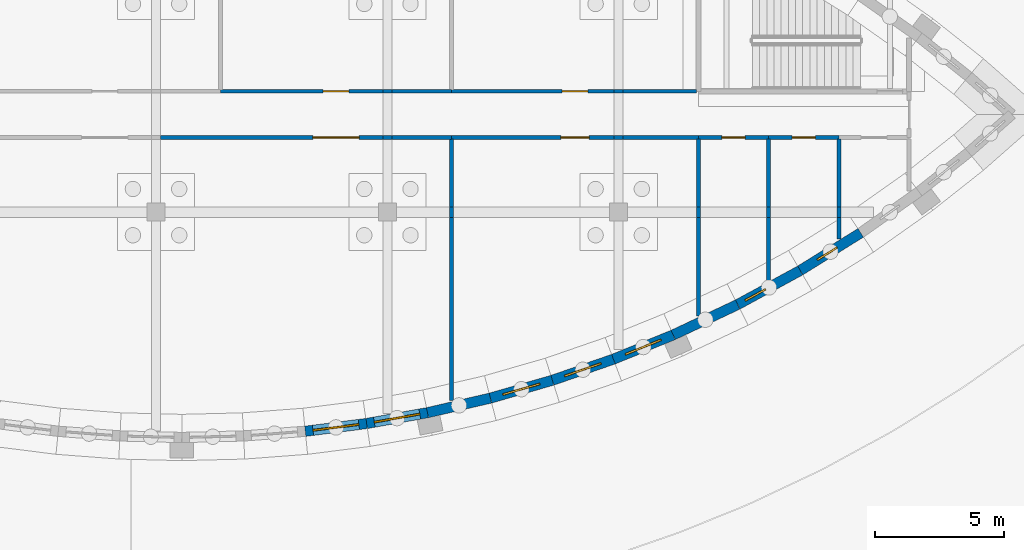
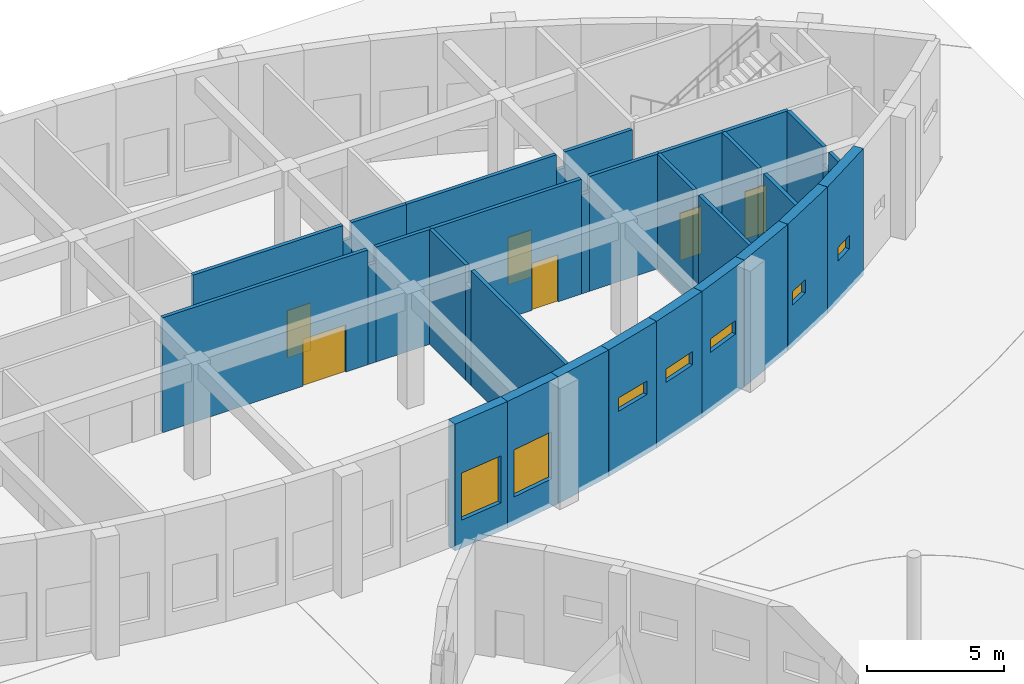
# One storey, part 67 of 82: 35 walls, 7 windows, 6 doors, 13 openings.
"""IFC4 building model written with IfcOpenShell, lengths in metres."""

from ifc_helpers import new_model, si_unit, direction, frame, frame_2d, origin, place, context, subcontext, project, spatial, rectangle, extrude, material, layer, layer_set, type_object, element, fill, save


model = new_model("IFC4")

# Units and contexts
model_context = context("Model", 3, precision=1e-05, world=origin(), true_north=direction((0.0, 1.0)))
body_context = subcontext(model_context, "Body", "Model", "MODEL_VIEW")
ifc_project = project(units=[si_unit("LENGTHUNIT", "METRE"), si_unit("AREAUNIT", "SQUARE_METRE"), si_unit("VOLUMEUNIT", "CUBIC_METRE"), si_unit("PLANEANGLEUNIT", "RADIAN"), si_unit("MASSUNIT", "GRAM", prefix="KILO")], contexts=[model_context])

# Site, building, storey
site_placement = place(None, origin())
site = spatial("IfcSite", under=ifc_project, at=site_placement, CompositionType="ELEMENT")
building_placement = place(site_placement, origin())
building = spatial("IfcBuilding", under=site, at=building_placement, Name="Tide Square Theatres", CompositionType="ELEMENT")
storey_placement = place(building_placement, origin())
storey = spatial("IfcBuildingStorey", under=building, at=storey_placement, Name="L00", CompositionType="ELEMENT", Elevation=0.0)

# Walls
ifc_material_1 = material(Name="Gypsum board on steel studs", Category="steel")
ifc_layer_1 = layer(ifc_material_1, 0.14990234375)
ifc_layer_set_1 = layer_set([ifc_layer_1], Name="Gypsum board on steel studs")
wall_type_1 = type_object("IfcWallType", Name="Partition 150 thick", PredefinedType="PARTITIONING", material=ifc_layer_set_1)
wall_1_placement = place(storey_placement, frame((140.5, 96.89990234375, 0.0), z_axis=(0.0, 0.0, 1.0), x_axis=(-1.0, 0.0, 0.0)))
element("IfcWall", 1, at=wall_1_placement, inside=storey, type_object=wall_type_1, Name="Rehearsal Block partition", PredefinedType="PARTITIONING", context=body_context, shape_type="SweptSolid", body=[
    extrude(rectangle(XDim=2.324951171875, YDim=0.14990234375, at=frame_2d((1.16259765625, 0.0))), origin(), (0.0, 0.0, 1.0), 5.1201171875),
])
wall_2_placement = place(storey_placement, frame((138.175048828125, 96.89990234375, 0.0), z_axis=(0.0, 0.0, 1.0), x_axis=(-1.0, 0.0, 0.0)))
element("IfcWall", 2, at=wall_2_placement, inside=storey, type_object=wall_type_1, Name="Rehearsal Block partition", PredefinedType="PARTITIONING", context=body_context, shape_type="SweptSolid", body=[
    extrude(rectangle(XDim=0.35009765625, YDim=0.14990234375, at=frame_2d((0.175048828125, 0.0))), origin(), (0.0, 0.0, 1.0), 4.419921875),
])

# Wall, opening, door
wall_3_placement = place(storey_placement, frame((137.824951171875, 96.89990234375, 0.0), z_axis=(0.0, 0.0, 1.0), x_axis=(-1.0, 0.0, 0.0)))
wall_3 = element("IfcWall", 3, at=wall_3_placement, inside=storey, type_object=wall_type_1, Name="Rehearsal Block partition", PredefinedType="PARTITIONING", context=body_context, shape_type="SweptSolid", body=[
    extrude(rectangle(XDim=8.64990234375, YDim=0.14990234375, at=frame_2d((4.324951171875, 0.0))), origin(), (0.0, 0.0, 1.0), 5.1201171875),
])
opening_1_placement = place(wall_3_placement, frame((0.925048828125, 0.0, 0.0)))
opening_1 = element("IfcOpeningElement", 4, at=opening_1_placement, cuts=wall_3, Name="Opening R0-14", PredefinedType="OPENING", context=body_context, shape_type="SweptSolid", body=[
    extrude(rectangle(XDim=1.800048828125, YDim=2.10009765625, at=frame_2d((0.89990234375, 1.050048828125))), frame((0.0, 0.0849609375, 0.0), z_axis=(0.0, -1.0, 0.0), x_axis=(1.0, 0.0, 0.0)), (0.0, 0.0, 1.0), 0.169921875),
])
ifc_material_2 = material(Name="Hardwood timber", Category="wood")
door_type_1 = type_object("IfcDoorType", Name="Door 1800 x 2100 double leaf", OperationType="DOUBLE_DOOR_SINGLE_SWING", PredefinedType="DOOR", material=ifc_material_2)
door_1_placement = place(opening_1_placement, origin())
door_1 = element("IfcDoor", 5, at=door_1_placement, inside=storey, type_object=door_type_1, Name="Rehearsal Block door R0-14 to Community Room", OperationType="DOUBLE_DOOR_SINGLE_SWING", OverallHeight=2.10009765625, OverallWidth=1.800048828125, PredefinedType="DOOR", context=body_context, shape_type="SweptSolid", body=[
    extrude(rectangle(XDim=1.800048828125, YDim=2.10009765625, at=frame_2d((0.89990234375, 1.050048828125))), frame((0.0, 0.02490234375, 0.0), z_axis=(0.0, -1.0, 0.0), x_axis=(1.0, 0.0, 0.0)), (0.0, 0.0, 1.0), 0.050048828125),
])
fill(opening_1, door_1)

wall_4_placement = place(storey_placement, frame((131.5, 98.699951171875, 0.0), z_axis=(0.0, 0.0, 1.0), x_axis=(1.0, 0.0, 0.0)))
wall_4 = element("IfcWall", 6, at=wall_4_placement, inside=storey, type_object=wall_type_1, Name="Rehearsal Block partition", PredefinedType="PARTITIONING", context=body_context, shape_type="SweptSolid", body=[
    extrude(rectangle(XDim=6.324951171875, YDim=0.14990234375, at=frame_2d((3.16259765625, 0.0))), origin(), (0.0, 0.0, 1.0), 5.1201171875),
])
opening_2_placement = place(wall_4_placement, frame((4.0, 0.0, 0.0)))
opening_2 = element("IfcOpeningElement", 7, at=opening_2_placement, cuts=wall_4, Name="Opening R0-18", PredefinedType="OPENING", context=body_context, shape_type="SweptSolid", body=[
    extrude(rectangle(XDim=1.0, YDim=2.10009765625, at=frame_2d((0.5, 1.050048828125))), frame((0.0, 0.0849609375, 0.0), z_axis=(0.0, -1.0, 0.0), x_axis=(1.0, 0.0, 0.0)), (0.0, 0.0, 1.0), 0.169921875),
])
ifc_material_3 = material(Name="Hardwood timber", Category="wood")
door_type_2 = type_object("IfcDoorType", Name="Door 1000 x 2100 single leaf", OperationType="NOTDEFINED", PredefinedType="DOOR", material=ifc_material_3)
door_2_placement = place(opening_2_placement, origin())
door_2 = element("IfcDoor", 8, at=door_2_placement, inside=storey, type_object=door_type_2, Name="Rehearsal Block door R0-18 to Changing Room 02", OperationType="SINGLE_SWING_RIGHT", OverallHeight=2.10009765625, OverallWidth=1.0, PredefinedType="DOOR", context=body_context, shape_type="SweptSolid", body=[
    extrude(rectangle(XDim=1.0, YDim=2.10009765625, at=frame_2d((0.5, 1.050048828125))), frame((0.0, 0.02490234375, 0.0), z_axis=(0.0, -1.0, 0.0), x_axis=(1.0, 0.0, 0.0)), (0.0, 0.0, 1.0), 0.050048828125),
])
fill(opening_2, door_2)

# Walls
wall_5_placement = place(storey_placement, frame((137.824951171875, 98.699951171875, 0.0), z_axis=(0.0, 0.0, 1.0), x_axis=(1.0, 0.0, 0.0)))
element("IfcWall", 9, at=wall_5_placement, inside=storey, type_object=wall_type_1, Name="Rehearsal Block partition", PredefinedType="PARTITIONING", context=body_context, shape_type="SweptSolid", body=[
    extrude(rectangle(XDim=0.35009765625, YDim=0.14990234375, at=frame_2d((0.175048828125, 0.0))), origin(), (0.0, 0.0, 1.0), 4.419921875),
])
wall_6_placement = place(storey_placement, frame((138.175048828125, 98.699951171875, 0.0), z_axis=(0.0, 0.0, 1.0), x_axis=(1.0, 0.0, 0.0)))
element("IfcWall", 10, at=wall_6_placement, inside=storey, type_object=wall_type_1, Name="Rehearsal Block partition", PredefinedType="PARTITIONING", context=body_context, shape_type="SweptSolid", body=[
    extrude(rectangle(XDim=2.324951171875, YDim=0.14990234375, at=frame_2d((1.16259765625, 0.0))), origin(), (0.0, 0.0, 1.0), 5.1201171875),
])
wall_7_placement = place(storey_placement, frame((140.5, 96.840087890625, 0.0), z_axis=(0.0, 0.0, 1.0), x_axis=(0.0, -1.0, 0.0)))
element("IfcWall", 11, at=wall_7_placement, inside=storey, type_object=wall_type_1, Name="Rehearsal Block partition", PredefinedType="PARTITIONING", context=body_context, shape_type="SweptSolid", body=[
    extrude(rectangle(XDim=2.64013671875, YDim=0.14990234375, at=frame_2d((1.320068359375, 0.0))), origin(), (0.0, 0.0, 1.0), 5.1201171875),
])
wall_8_placement = place(storey_placement, frame((140.5, 94.199951171875, 0.0), z_axis=(0.0, 0.0, 1.0), x_axis=(0.0, -1.0, 0.0)))
element("IfcWall", 12, at=wall_8_placement, inside=storey, type_object=wall_type_1, Name="Rehearsal Block partition", PredefinedType="PARTITIONING", context=body_context, shape_type="SweptSolid", body=[
    extrude(rectangle(XDim=0.39990234375, YDim=0.14990234375, at=frame_2d((0.199951171875, 0.0))), origin(), (0.0, 0.0, 1.0), 4.320068359375),
])
wall_9_placement = place(storey_placement, frame((140.5, 93.800048828125, 0.0), z_axis=(0.0, 0.0, 1.0), x_axis=(0.0, -1.0, 0.0)))
element("IfcWall", 13, at=wall_9_placement, inside=storey, type_object=wall_type_1, Name="Rehearsal Block partition", PredefinedType="PARTITIONING", context=body_context, shape_type="SweptSolid", body=[
    extrude(rectangle(XDim=7.128662109375, YDim=0.14990234375, at=frame_2d((3.564453125, 0.0))), origin(), (0.0, 0.0, 1.0), 5.1201171875),
])
wall_10_placement = place(storey_placement, frame((150.10009765625, 96.89990234375, 0.0), z_axis=(0.0, 0.0, 1.0), x_axis=(-1.0, 0.0, 0.0)))
element("IfcWall", 14, at=wall_10_placement, inside=storey, type_object=wall_type_1, Name="Rehearsal Block partition", PredefinedType="PARTITIONING", context=body_context, shape_type="SweptSolid", body=[
    extrude(rectangle(XDim=2.925048828125, YDim=0.14990234375, at=frame_2d((1.46240234375, 0.0))), origin(), (0.0, 0.0, 1.0), 5.1201171875),
])
wall_11_placement = place(storey_placement, frame((147.175048828125, 96.89990234375, 0.0), z_axis=(0.0, 0.0, 1.0), x_axis=(-1.0, 0.0, 0.0)))
element("IfcWall", 15, at=wall_11_placement, inside=storey, type_object=wall_type_1, Name="Rehearsal Block partition", PredefinedType="PARTITIONING", context=body_context, shape_type="SweptSolid", body=[
    extrude(rectangle(XDim=0.35009765625, YDim=0.14990234375, at=frame_2d((0.175048828125, 0.0))), origin(), (0.0, 0.0, 1.0), 4.419921875),
])

# Wall, opening, door
wall_12_placement = place(storey_placement, frame((146.824951171875, 96.89990234375, 0.0), z_axis=(0.0, 0.0, 1.0), x_axis=(-1.0, 0.0, 0.0)))
wall_12 = element("IfcWall", 16, at=wall_12_placement, inside=storey, type_object=wall_type_1, Name="Rehearsal Block partition", PredefinedType="PARTITIONING", context=body_context, shape_type="SweptSolid", body=[
    extrude(rectangle(XDim=6.324951171875, YDim=0.14990234375, at=frame_2d((3.16259765625, 0.0))), origin(), (0.0, 0.0, 1.0), 5.1201171875),
])
opening_3_placement = place(wall_12_placement, frame((0.97509765625, 0.0, 0.0)))
opening_3 = element("IfcOpeningElement", 17, at=opening_3_placement, cuts=wall_12, Name="Opening R0-15", PredefinedType="OPENING", context=body_context, shape_type="SweptSolid", body=[
    extrude(rectangle(XDim=1.10009765625, YDim=2.10009765625, at=frame_2d((0.550048828125, 1.050048828125))), frame((0.0, 0.0849609375, 0.0), z_axis=(0.0, -1.0, 0.0), x_axis=(1.0, 0.0, 0.0)), (0.0, 0.0, 1.0), 0.169921875),
])
ifc_material_4 = material(Name="Painted steel", Category="steel")
door_type_3 = type_object("IfcDoorType", Name="Door 1100 x 2100 single leaf", OperationType="NOTDEFINED", PredefinedType="DOOR", material=ifc_material_4)
door_3_placement = place(opening_3_placement, origin())
door_3 = element("IfcDoor", 18, at=door_3_placement, inside=storey, type_object=door_type_3, Name="Rehearsal Block door R0-15 to Costume Hire Store", OperationType="SINGLE_SWING_RIGHT", OverallHeight=2.10009765625, OverallWidth=1.10009765625, PredefinedType="DOOR", context=body_context, shape_type="SweptSolid", body=[
    extrude(rectangle(XDim=1.10009765625, YDim=2.10009765625, at=frame_2d((0.550048828125, 1.050048828125))), frame((0.0, 0.02490234375, 0.0), z_axis=(0.0, -1.0, 0.0), x_axis=(1.0, 0.0, 0.0)), (0.0, 0.0, 1.0), 0.050048828125),
])
fill(opening_3, door_3)

wall_13_placement = place(storey_placement, frame((140.5, 98.699951171875, 0.0), z_axis=(0.0, 0.0, 1.0), x_axis=(1.0, 0.0, 0.0)))
wall_13 = element("IfcWall", 19, at=wall_13_placement, inside=storey, type_object=wall_type_1, Name="Rehearsal Block partition", PredefinedType="PARTITIONING", context=body_context, shape_type="SweptSolid", body=[
    extrude(rectangle(XDim=6.324951171875, YDim=0.14990234375, at=frame_2d((3.16259765625, 0.0))), origin(), (0.0, 0.0, 1.0), 5.1201171875),
])
opening_4_placement = place(wall_13_placement, frame((4.300048828125, 0.0, 0.0)))
opening_4 = element("IfcOpeningElement", 20, at=opening_4_placement, cuts=wall_13, Name="Opening R0-19", PredefinedType="OPENING", context=body_context, shape_type="SweptSolid", body=[
    extrude(rectangle(XDim=1.0, YDim=2.10009765625, at=frame_2d((0.5, 1.050048828125))), frame((0.0, 0.0849609375, 0.0), z_axis=(0.0, -1.0, 0.0), x_axis=(1.0, 0.0, 0.0)), (0.0, 0.0, 1.0), 0.169921875),
])
door_4_placement = place(opening_4_placement, origin())
door_4 = element("IfcDoor", 21, at=door_4_placement, inside=storey, type_object=door_type_2, Name="Rehearsal Block door R0-19 to Company Green Room", OperationType="SINGLE_SWING_RIGHT", OverallHeight=2.10009765625, OverallWidth=1.0, PredefinedType="DOOR", context=body_context, shape_type="SweptSolid", body=[
    extrude(rectangle(XDim=1.0, YDim=2.10009765625, at=frame_2d((0.5, 1.050048828125))), frame((0.0, 0.02490234375, 0.0), z_axis=(0.0, -1.0, 0.0), x_axis=(1.0, 0.0, 0.0)), (0.0, 0.0, 1.0), 0.050048828125),
])
fill(opening_4, door_4)

# Walls
wall_14_placement = place(storey_placement, frame((146.824951171875, 98.699951171875, 0.0), z_axis=(0.0, 0.0, 1.0), x_axis=(1.0, 0.0, 0.0)))
element("IfcWall", 22, at=wall_14_placement, inside=storey, type_object=wall_type_1, Name="Rehearsal Block partition", PredefinedType="PARTITIONING", context=body_context, shape_type="SweptSolid", body=[
    extrude(rectangle(XDim=0.35009765625, YDim=0.14990234375, at=frame_2d((0.175048828125, 0.0))), origin(), (0.0, 0.0, 1.0), 4.419921875),
])
wall_15_placement = place(storey_placement, frame((147.175048828125, 98.699951171875, 0.0), z_axis=(0.0, 0.0, 1.0), x_axis=(1.0, 0.0, 0.0)))
element("IfcWall", 23, at=wall_15_placement, inside=storey, type_object=wall_type_1, Name="Rehearsal Block partition", PredefinedType="PARTITIONING", context=body_context, shape_type="SweptSolid", body=[
    extrude(rectangle(XDim=2.844970703125, YDim=0.14990234375, at=frame_2d((1.42236328125, 0.0))), origin(), (0.0, 0.0, 1.0), 5.1201171875),
])
wall_16_placement = place(storey_placement, frame((150.10009765625, 89.960205078125, 0.0), z_axis=(0.0, 0.0, 1.0), x_axis=(0.0, 1.0, 0.0)))
element("IfcWall", 24, at=wall_16_placement, inside=storey, type_object=wall_type_1, Name="Rehearsal Block partition", PredefinedType="PARTITIONING", context=body_context, shape_type="SweptSolid", body=[
    extrude(rectangle(XDim=3.83984375, YDim=0.14990234375, at=frame_2d((1.919921875, 0.0))), origin(), (0.0, 0.0, 1.0), 5.1201171875),
])
wall_17_placement = place(storey_placement, frame((150.10009765625, 93.800048828125, 0.0), z_axis=(0.0, 0.0, 1.0), x_axis=(0.0, 1.0, 0.0)))
element("IfcWall", 25, at=wall_17_placement, inside=storey, type_object=wall_type_1, Name="Rehearsal Block partition", PredefinedType="PARTITIONING", context=body_context, shape_type="SweptSolid", body=[
    extrude(rectangle(XDim=0.39990234375, YDim=0.14990234375, at=frame_2d((0.199951171875, 0.0))), origin(), (0.0, 0.0, 1.0), 4.320068359375),
])
wall_18_placement = place(storey_placement, frame((150.10009765625, 94.199951171875, 0.0), z_axis=(0.0, 0.0, 1.0), x_axis=(0.0, 1.0, 0.0)))
element("IfcWall", 26, at=wall_18_placement, inside=storey, type_object=wall_type_1, Name="Rehearsal Block partition", PredefinedType="PARTITIONING", context=body_context, shape_type="SweptSolid", body=[
    extrude(rectangle(XDim=2.64013671875, YDim=0.14990234375, at=frame_2d((1.320068359375, 0.0))), origin(), (0.0, 0.0, 1.0), 5.1201171875),
])

# Wall, opening, door
wall_19_placement = place(storey_placement, frame((152.833251953125, 96.89990234375, 0.0), z_axis=(0.0, 0.0, 1.0), x_axis=(-1.0, 0.0, 0.0)))
wall_19 = element("IfcWall", 27, at=wall_19_placement, inside=storey, type_object=wall_type_1, Name="Rehearsal Block partition", PredefinedType="PARTITIONING", context=body_context, shape_type="SweptSolid", body=[
    extrude(rectangle(XDim=2.733154296875, YDim=0.14990234375, at=frame_2d((1.36669921875, 0.0))), origin(), (0.0, 0.0, 1.0), 5.1201171875),
])
opening_5_placement = place(wall_19_placement, frame((0.916748046875, 0.0, 0.0)))
opening_5 = element("IfcOpeningElement", 28, at=opening_5_placement, cuts=wall_19, Name="Opening R0-07", PredefinedType="OPENING", context=body_context, shape_type="SweptSolid", body=[
    extrude(rectangle(XDim=0.89990234375, YDim=2.10009765625, at=frame_2d((0.449951171875, 1.050048828125))), frame((0.0, 0.0849609375, 0.0), z_axis=(0.0, -1.0, 0.0), x_axis=(1.0, 0.0, 0.0)), (0.0, 0.0, 1.0), 0.169921875),
])
ifc_material_5 = material(Name="Hardwood timber", Category="wood")
door_type_4 = type_object("IfcDoorType", Name="Door 900 x 2100 single leaf", OperationType="NOTDEFINED", PredefinedType="DOOR", material=ifc_material_5)
door_5_placement = place(opening_5_placement, origin())
door_5 = element("IfcDoor", 29, at=door_5_placement, inside=storey, type_object=door_type_4, Name="Rehearsal Block door R0-07 to Gents WC E", OperationType="SINGLE_SWING_RIGHT", OverallHeight=2.10009765625, OverallWidth=0.89990234375, PredefinedType="DOOR", context=body_context, shape_type="SweptSolid", body=[
    extrude(rectangle(XDim=0.89990234375, YDim=2.10009765625, at=frame_2d((0.449951171875, 1.050048828125))), frame((0.0, 0.02490234375, 0.0), z_axis=(0.0, -1.0, 0.0), x_axis=(1.0, 0.0, 0.0)), (0.0, 0.0, 1.0), 0.050048828125),
])
fill(opening_5, door_5)

# Walls
wall_20_placement = place(storey_placement, frame((152.833251953125, 96.840087890625, 0.0), z_axis=(0.0, 0.0, 1.0), x_axis=(0.0, -1.0, 0.0)))
element("IfcWall", 30, at=wall_20_placement, inside=storey, type_object=wall_type_1, Name="Rehearsal Block partition", PredefinedType="PARTITIONING", context=body_context, shape_type="SweptSolid", body=[
    extrude(rectangle(XDim=2.64013671875, YDim=0.14990234375, at=frame_2d((1.320068359375, 0.0))), origin(), (0.0, 0.0, 1.0), 5.1201171875),
])
wall_21_placement = place(storey_placement, frame((152.833251953125, 94.199951171875, 0.0), z_axis=(0.0, 0.0, 1.0), x_axis=(0.0, -1.0, 0.0)))
element("IfcWall", 31, at=wall_21_placement, inside=storey, type_object=wall_type_1, Name="Rehearsal Block partition", PredefinedType="PARTITIONING", context=body_context, shape_type="SweptSolid", body=[
    extrude(rectangle(XDim=0.39990234375, YDim=0.14990234375, at=frame_2d((0.199951171875, 0.0))), origin(), (0.0, 0.0, 1.0), 4.320068359375),
])
wall_22_placement = place(storey_placement, frame((152.833251953125, 93.800048828125, 0.0), z_axis=(0.0, 0.0, 1.0), x_axis=(0.0, -1.0, 0.0)))
element("IfcWall", 32, at=wall_22_placement, inside=storey, type_object=wall_type_1, Name="Rehearsal Block partition", PredefinedType="PARTITIONING", context=body_context, shape_type="SweptSolid", body=[
    extrude(rectangle(XDim=2.455078125, YDim=0.14990234375, at=frame_2d((1.2275390625, 0.0))), origin(), (0.0, 0.0, 1.0), 5.1201171875),
])

# Wall, opening, door
wall_23_placement = place(storey_placement, frame((155.566650390625, 96.89990234375, 0.0), z_axis=(0.0, 0.0, 1.0), x_axis=(-1.0, 0.0, 0.0)))
wall_23 = element("IfcWall", 33, at=wall_23_placement, inside=storey, type_object=wall_type_1, Name="Rehearsal Block partition", PredefinedType="PARTITIONING", context=body_context, shape_type="SweptSolid", body=[
    extrude(rectangle(XDim=2.7333984375, YDim=0.14990234375, at=frame_2d((1.36669921875, 0.0))), origin(), (0.0, 0.0, 1.0), 5.1201171875),
])
opening_6_placement = place(wall_23_placement, frame((0.916748046875, 0.0, 0.0)))
opening_6 = element("IfcOpeningElement", 34, at=opening_6_placement, cuts=wall_23, Name="Opening R0-08", PredefinedType="OPENING", context=body_context, shape_type="SweptSolid", body=[
    extrude(rectangle(XDim=0.89990234375, YDim=2.10009765625, at=frame_2d((0.449951171875, 1.050048828125))), frame((0.0, 0.0849609375, 0.0), z_axis=(0.0, -1.0, 0.0), x_axis=(1.0, 0.0, 0.0)), (0.0, 0.0, 1.0), 0.169921875),
])
door_6_placement = place(opening_6_placement, origin())
door_6 = element("IfcDoor", 35, at=door_6_placement, inside=storey, type_object=door_type_4, Name="Rehearsal Block door R0-08 to Ladies WC E", OperationType="SINGLE_SWING_RIGHT", OverallHeight=2.10009765625, OverallWidth=0.89990234375, PredefinedType="DOOR", context=body_context, shape_type="SweptSolid", body=[
    extrude(rectangle(XDim=0.89990234375, YDim=2.10009765625, at=frame_2d((0.449951171875, 1.050048828125))), frame((0.0, 0.02490234375, 0.0), z_axis=(0.0, -1.0, 0.0), x_axis=(1.0, 0.0, 0.0)), (0.0, 0.0, 1.0), 0.050048828125),
])
fill(opening_6, door_6)

# Walls
wall_24_placement = place(storey_placement, frame((155.566650390625, 96.840087890625, 0.0), z_axis=(0.0, 0.0, 1.0), x_axis=(0.0, -1.0, 0.0)))
element("IfcWall", 36, at=wall_24_placement, inside=storey, type_object=wall_type_1, Name="Rehearsal Block partition", PredefinedType="PARTITIONING", context=body_context, shape_type="SweptSolid", body=[
    extrude(rectangle(XDim=2.64013671875, YDim=0.14990234375, at=frame_2d((1.320068359375, 0.0))), origin(), (0.0, 0.0, 1.0), 5.1201171875),
])
wall_25_placement = place(storey_placement, frame((155.566650390625, 94.199951171875, 0.0), z_axis=(0.0, 0.0, 1.0), x_axis=(0.0, -1.0, 0.0)))
element("IfcWall", 37, at=wall_25_placement, inside=storey, type_object=wall_type_1, Name="Rehearsal Block partition", PredefinedType="PARTITIONING", context=body_context, shape_type="SweptSolid", body=[
    extrude(rectangle(XDim=0.39990234375, YDim=0.14990234375, at=frame_2d((0.199951171875, 0.0))), origin(), (0.0, 0.0, 1.0), 4.320068359375),
])
wall_26_placement = place(storey_placement, frame((155.566650390625, 93.800048828125, 0.0), z_axis=(0.0, 0.0, 1.0), x_axis=(0.0, -1.0, 0.0)))
element("IfcWall", 38, at=wall_26_placement, inside=storey, type_object=wall_type_1, Name="Rehearsal Block partition", PredefinedType="PARTITIONING", context=body_context, shape_type="SweptSolid", body=[
    extrude(rectangle(XDim=0.84033203125, YDim=0.14990234375, at=frame_2d((0.420166015625, 0.0))), origin(), (0.0, 0.0, 1.0), 5.1201171875),
])

# Wall, opening, window
ifc_material_6 = material(Name="Concrete C40", Category="concrete")
ifc_layer_2 = layer(ifc_material_6, 0.39990234375)
ifc_layer_set_2 = layer_set([ifc_layer_2], Name="Concrete C40")
wall_type_2 = type_object("IfcWallType", Name="RC curved wall 400 thick", PredefinedType="SOLIDWALL", material=ifc_layer_set_2)
wall_27_placement = place(storey_placement, frame((134.804443359375, 85.473388671875, -0.25), z_axis=(0.0, 0.0, 1.0), x_axis=(0.99208939311, 0.125533406227, 0.0)))
wall_27 = element("IfcWall", 39, at=wall_27_placement, inside=storey, type_object=wall_type_2, Name="Rehearsal Block perimeter wall 016", PredefinedType="SOLIDWALL", context=body_context, shape_type="SweptSolid", body=[
    extrude(rectangle(XDim=2.40576171875, YDim=0.39990234375, at=frame_2d((1.202880859375, 0.0))), origin(), (0.0, 0.0, 1.0), 5.64990234375),
])
opening_7_placement = place(wall_27_placement, frame((0.302978515625, 0.0, 1.25)))
opening_7 = element("IfcOpeningElement", 40, at=opening_7_placement, cuts=wall_27, Name="Opening WN-14", PredefinedType="OPENING", context=body_context, shape_type="SweptSolid", body=[
    extrude(rectangle(XDim=1.800048828125, YDim=2.10009765625, at=frame_2d((0.89990234375, 1.050048828125))), frame((0.0, 0.2099609375, 0.0), z_axis=(0.0, -1.0, 0.0), x_axis=(1.0, 0.0, 0.0)), (0.0, 0.0, 1.0), 0.419921875),
])
ifc_material_7 = material(Name="Aluminium with laminated glass", Category="aluminium")
window_type_1 = type_object("IfcWindowType", Name="Window 1800 x 2100", PartitioningType="DOUBLE_PANEL_VERTICAL", PredefinedType="WINDOW", material=ifc_material_7)
window_1_placement = place(opening_7_placement, origin())
window_1 = element("IfcWindow", 41, at=window_1_placement, inside=storey, type_object=window_type_1, Name="Rehearsal Block window L00-16", OverallHeight=2.10009765625, OverallWidth=1.800048828125, PartitioningType="SINGLE_PANEL", PredefinedType="WINDOW", context=body_context, shape_type="SweptSolid", body=[
    extrude(rectangle(XDim=1.800048828125, YDim=2.10009765625, at=frame_2d((0.89990234375, 1.050048828125))), frame((0.0, 0.030029296875, 0.0), z_axis=(0.0, -1.0, 0.0), x_axis=(1.0, 0.0, 0.0)), (0.0, 0.0, 1.0), 0.06005859375),
])
fill(opening_7, window_1)

wall_28_placement = place(storey_placement, frame((137.191162109375, 85.775390625, -0.25), z_axis=(0.0, 0.0, 1.0), x_axis=(0.984524011381, 0.175249738987, 0.0)))
wall_28 = element("IfcWall", 42, at=wall_28_placement, inside=storey, type_object=wall_type_2, Name="Rehearsal Block perimeter wall 017", PredefinedType="SOLIDWALL", context=body_context, shape_type="SweptSolid", body=[
    extrude(rectangle(XDim=2.406005859375, YDim=0.39990234375, at=frame_2d((1.203125, 0.0))), origin(), (0.0, 0.0, 1.0), 5.64990234375),
])
opening_8_placement = place(wall_28_placement, frame((0.302978515625, 0.0, 1.25)))
opening_8 = element("IfcOpeningElement", 43, at=opening_8_placement, cuts=wall_28, Name="Opening WN-14", PredefinedType="OPENING", context=body_context, shape_type="SweptSolid", body=[
    extrude(rectangle(XDim=1.800048828125, YDim=2.10009765625, at=frame_2d((0.89990234375, 1.050048828125))), frame((0.0, 0.2099609375, 0.0), z_axis=(0.0, -1.0, 0.0), x_axis=(1.0, 0.0, 0.0)), (0.0, 0.0, 1.0), 0.419921875),
])
window_2_placement = place(opening_8_placement, origin())
window_2 = element("IfcWindow", 44, at=window_2_placement, inside=storey, type_object=window_type_1, Name="Rehearsal Block window L00-17", OverallHeight=2.10009765625, OverallWidth=1.800048828125, PartitioningType="SINGLE_PANEL", PredefinedType="WINDOW", context=body_context, shape_type="SweptSolid", body=[
    extrude(rectangle(XDim=1.800048828125, YDim=2.10009765625, at=frame_2d((0.89990234375, 1.050048828125))), frame((0.0, 0.030029296875, 0.0), z_axis=(0.0, -1.0, 0.0), x_axis=(1.0, 0.0, 0.0)), (0.0, 0.0, 1.0), 0.06005859375),
])
fill(opening_8, window_2)

# Wall
wall_29_placement = place(storey_placement, frame((139.559814453125, 86.197021484375, -0.25), z_axis=(0.0, 0.0, 1.0), x_axis=(0.974210649093, 0.225640446716, 0.0)))
element("IfcWall", 45, at=wall_29_placement, inside=storey, type_object=wall_type_2, Name="Rehearsal Block perimeter wall 018", PredefinedType="SOLIDWALL", context=body_context, shape_type="SweptSolid", body=[
    extrude(rectangle(XDim=2.51123046875, YDim=0.39990234375, at=frame_2d((1.255615234375, 0.0))), origin(), (0.0, 0.0, 1.0), 5.64990234375),
])

# Wall, opening, window
wall_30_placement = place(storey_placement, frame((142.00634765625, 86.763671875, -0.25), z_axis=(0.0, 0.0, 1.0), x_axis=(0.961008605775, 0.276518461637, 0.0)))
wall_30 = element("IfcWall", 46, at=wall_30_placement, inside=storey, type_object=wall_type_2, Name="Rehearsal Block perimeter wall 019", PredefinedType="SOLIDWALL", context=body_context, shape_type="SweptSolid", body=[
    extrude(rectangle(XDim=2.510986328125, YDim=0.39990234375, at=frame_2d((1.25537109375, 0.0))), origin(), (0.0, 0.0, 1.0), 5.64990234375),
])
opening_9_placement = place(wall_30_placement, frame((0.505615234375, 0.0, 2.64990234375)))
opening_9 = element("IfcOpeningElement", 47, at=opening_9_placement, cuts=wall_30, Name="Opening WN-05", PredefinedType="OPENING", context=body_context, shape_type="SweptSolid", body=[
    extrude(rectangle(XDim=1.5, YDim=0.60009765625, at=frame_2d((0.75, 0.300048828125))), frame((0.0, 0.2099609375, 0.0), z_axis=(0.0, -1.0, 0.0), x_axis=(1.0, 0.0, 0.0)), (0.0, 0.0, 1.0), 0.419921875),
])
ifc_material_8 = material(Name="Aluminium with laminated glass", Category="aluminium")
window_type_2 = type_object("IfcWindowType", Name="Window 1500 x 600", PartitioningType="SINGLE_PANEL", PredefinedType="WINDOW", material=ifc_material_8)
window_3_placement = place(opening_9_placement, origin())
window_3 = element("IfcWindow", 48, at=window_3_placement, inside=storey, type_object=window_type_2, Name="Rehearsal Block window L00-18", OverallHeight=0.60009765625, OverallWidth=1.5, PartitioningType="SINGLE_PANEL", PredefinedType="WINDOW", context=body_context, shape_type="SweptSolid", body=[
    extrude(rectangle(XDim=1.5, YDim=0.60009765625, at=frame_2d((0.75, 0.300048828125))), frame((0.0, 0.030029296875, 0.0), z_axis=(0.0, -1.0, 0.0), x_axis=(1.0, 0.0, 0.0)), (0.0, 0.0, 1.0), 0.06005859375),
])
fill(opening_9, window_3)

wall_31_placement = place(storey_placement, frame((144.41943359375, 87.4580078125, -0.25), z_axis=(0.0, 0.0, 1.0), x_axis=(0.94514546406, 0.326649738659, 0.0)))
wall_31 = element("IfcWall", 49, at=wall_31_placement, inside=storey, type_object=wall_type_2, Name="Rehearsal Block perimeter wall 020", PredefinedType="SOLIDWALL", context=body_context, shape_type="SweptSolid", body=[
    extrude(rectangle(XDim=2.51123046875, YDim=0.39990234375, at=frame_2d((1.255615234375, 0.0))), origin(), (0.0, 0.0, 1.0), 5.64990234375),
])
opening_10_placement = place(wall_31_placement, frame((0.505615234375, 0.0, 2.64990234375)))
opening_10 = element("IfcOpeningElement", 50, at=opening_10_placement, cuts=wall_31, Name="Opening WN-05", PredefinedType="OPENING", context=body_context, shape_type="SweptSolid", body=[
    extrude(rectangle(XDim=1.5, YDim=0.60009765625, at=frame_2d((0.75, 0.300048828125))), frame((0.0, 0.2099609375, 0.0), z_axis=(0.0, -1.0, 0.0), x_axis=(1.0, 0.0, 0.0)), (0.0, 0.0, 1.0), 0.419921875),
])
window_4_placement = place(opening_10_placement, origin())
window_4 = element("IfcWindow", 51, at=window_4_placement, inside=storey, type_object=window_type_2, Name="Rehearsal Block window L00-19", OverallHeight=0.60009765625, OverallWidth=1.5, PartitioningType="SINGLE_PANEL", PredefinedType="WINDOW", context=body_context, shape_type="SweptSolid", body=[
    extrude(rectangle(XDim=1.5, YDim=0.60009765625, at=frame_2d((0.75, 0.300048828125))), frame((0.0, 0.030029296875, 0.0), z_axis=(0.0, -1.0, 0.0), x_axis=(1.0, 0.0, 0.0)), (0.0, 0.0, 1.0), 0.06005859375),
])
fill(opening_10, window_4)

wall_32_placement = place(storey_placement, frame((146.79296875, 88.2783203125, -0.25), z_axis=(0.0, 0.0, 1.0), x_axis=(0.926722795862, 0.375745738007, 0.0)))
wall_32 = element("IfcWall", 52, at=wall_32_placement, inside=storey, type_object=wall_type_2, Name="Rehearsal Block perimeter wall 021", PredefinedType="SOLIDWALL", context=body_context, shape_type="SweptSolid", body=[
    extrude(rectangle(XDim=2.5107421875, YDim=0.39990234375, at=frame_2d((1.25537109375, 0.0))), origin(), (0.0, 0.0, 1.0), 5.64990234375),
])
opening_11_placement = place(wall_32_placement, frame((0.50537109375, 0.0, 2.64990234375)))
opening_11 = element("IfcOpeningElement", 53, at=opening_11_placement, cuts=wall_32, Name="Opening WN-05", PredefinedType="OPENING", context=body_context, shape_type="SweptSolid", body=[
    extrude(rectangle(XDim=1.5, YDim=0.60009765625, at=frame_2d((0.75, 0.300048828125))), frame((0.0, 0.2099609375, 0.0), z_axis=(0.0, -1.0, 0.0), x_axis=(1.0, 0.0, 0.0)), (0.0, 0.0, 1.0), 0.419921875),
])
window_5_placement = place(opening_11_placement, origin())
window_5 = element("IfcWindow", 54, at=window_5_placement, inside=storey, type_object=window_type_2, Name="Rehearsal Block window L00-20", OverallHeight=0.60009765625, OverallWidth=1.5, PartitioningType="SINGLE_PANEL", PredefinedType="WINDOW", context=body_context, shape_type="SweptSolid", body=[
    extrude(rectangle(XDim=1.5, YDim=0.60009765625, at=frame_2d((0.75, 0.300048828125))), frame((0.0, 0.030029296875, 0.0), z_axis=(0.0, -1.0, 0.0), x_axis=(1.0, 0.0, 0.0)), (0.0, 0.0, 1.0), 0.06005859375),
])
fill(opening_11, window_5)

# Wall
wall_33_placement = place(storey_placement, frame((149.11962890625, 89.2216796875, -0.25), z_axis=(0.0, 0.0, 1.0), x_axis=(0.904527098751, 0.42641614372, 0.0)))
element("IfcWall", 55, at=wall_33_placement, inside=storey, type_object=wall_type_2, Name="Rehearsal Block perimeter wall 022", PredefinedType="SOLIDWALL", context=body_context, shape_type="SweptSolid", body=[
    extrude(rectangle(XDim=2.772216796875, YDim=0.39990234375, at=frame_2d((1.38623046875, 0.0))), origin(), (0.0, 0.0, 1.0), 5.64990234375),
])

# Wall, opening, window
wall_34_placement = place(storey_placement, frame((151.627197265625, 90.40380859375, -0.25), z_axis=(0.0, 0.0, 1.0), x_axis=(0.878292493566, 0.478123724308, 0.0)))
wall_34 = element("IfcWall", 56, at=wall_34_placement, inside=storey, type_object=wall_type_2, Name="Rehearsal Block perimeter wall 023", PredefinedType="SOLIDWALL", context=body_context, shape_type="SweptSolid", body=[
    extrude(rectangle(XDim=2.771728515625, YDim=0.39990234375, at=frame_2d((1.3857421875, 0.0))), origin(), (0.0, 0.0, 1.0), 5.64990234375),
])
opening_12_placement = place(wall_34_placement, frame((0.3359375, 0.0, 1.85009765625)))
opening_12 = element("IfcOpeningElement", 57, at=opening_12_placement, cuts=wall_34, Name="Opening WN-12", PredefinedType="OPENING", context=body_context, shape_type="SweptSolid", body=[
    extrude(rectangle(XDim=0.89990234375, YDim=0.60009765625, at=frame_2d((0.449951171875, 0.300048828125))), frame((0.0, 0.2099609375, 0.0), z_axis=(0.0, -1.0, 0.0), x_axis=(1.0, 0.0, 0.0)), (0.0, 0.0, 1.0), 0.419921875),
])
ifc_material_9 = material(Name="Aluminium with laminated glass", Category="aluminium")
window_type_3 = type_object("IfcWindowType", Name="Window 900 x 600", PartitioningType="SINGLE_PANEL", PredefinedType="WINDOW", material=ifc_material_9)
window_6_placement = place(opening_12_placement, origin())
window_6 = element("IfcWindow", 58, at=window_6_placement, inside=storey, type_object=window_type_3, Name="Rehearsal Block window L00-21", OverallHeight=0.60009765625, OverallWidth=0.89990234375, PartitioningType="SINGLE_PANEL", PredefinedType="WINDOW", context=body_context, shape_type="SweptSolid", body=[
    extrude(rectangle(XDim=0.89990234375, YDim=0.60009765625, at=frame_2d((0.449951171875, 0.300048828125))), frame((0.0, 0.030029296875, 0.0), z_axis=(0.0, -1.0, 0.0), x_axis=(1.0, 0.0, 0.0)), (0.0, 0.0, 1.0), 0.06005859375),
])
fill(opening_12, window_6)

wall_35_placement = place(storey_placement, frame((154.0615234375, 91.72900390625, -0.25), z_axis=(0.0, 0.0, 1.0), x_axis=(0.84912946359, 0.528184772653, 0.0)))
wall_35 = element("IfcWall", 59, at=wall_35_placement, inside=storey, type_object=wall_type_2, Name="Rehearsal Block perimeter wall 024", PredefinedType="SOLIDWALL", context=body_context, shape_type="SweptSolid", body=[
    extrude(rectangle(XDim=2.77197265625, YDim=0.39990234375, at=frame_2d((1.385986328125, 0.0))), origin(), (0.0, 0.0, 1.0), 5.64990234375),
])
opening_13_placement = place(wall_35_placement, frame((0.785888671875, 0.0, 1.85009765625)))
opening_13 = element("IfcOpeningElement", 60, at=opening_13_placement, cuts=wall_35, Name="Opening WN-12", PredefinedType="OPENING", context=body_context, shape_type="SweptSolid", body=[
    extrude(rectangle(XDim=0.89990234375, YDim=0.60009765625, at=frame_2d((0.449951171875, 0.300048828125))), frame((0.0, 0.2099609375, 0.0), z_axis=(0.0, -1.0, 0.0), x_axis=(1.0, 0.0, 0.0)), (0.0, 0.0, 1.0), 0.419921875),
])
window_7_placement = place(opening_13_placement, origin())
window_7 = element("IfcWindow", 61, at=window_7_placement, inside=storey, type_object=window_type_3, Name="Rehearsal Block window L00-22", OverallHeight=0.60009765625, OverallWidth=0.89990234375, PartitioningType="SINGLE_PANEL", PredefinedType="WINDOW", context=body_context, shape_type="SweptSolid", body=[
    extrude(rectangle(XDim=0.89990234375, YDim=0.60009765625, at=frame_2d((0.449951171875, 0.300048828125))), frame((0.0, 0.030029296875, 0.0), z_axis=(0.0, -1.0, 0.0), x_axis=(1.0, 0.0, 0.0)), (0.0, 0.0, 1.0), 0.06005859375),
])
fill(opening_13, window_7)

save(model, "model.ifc")
